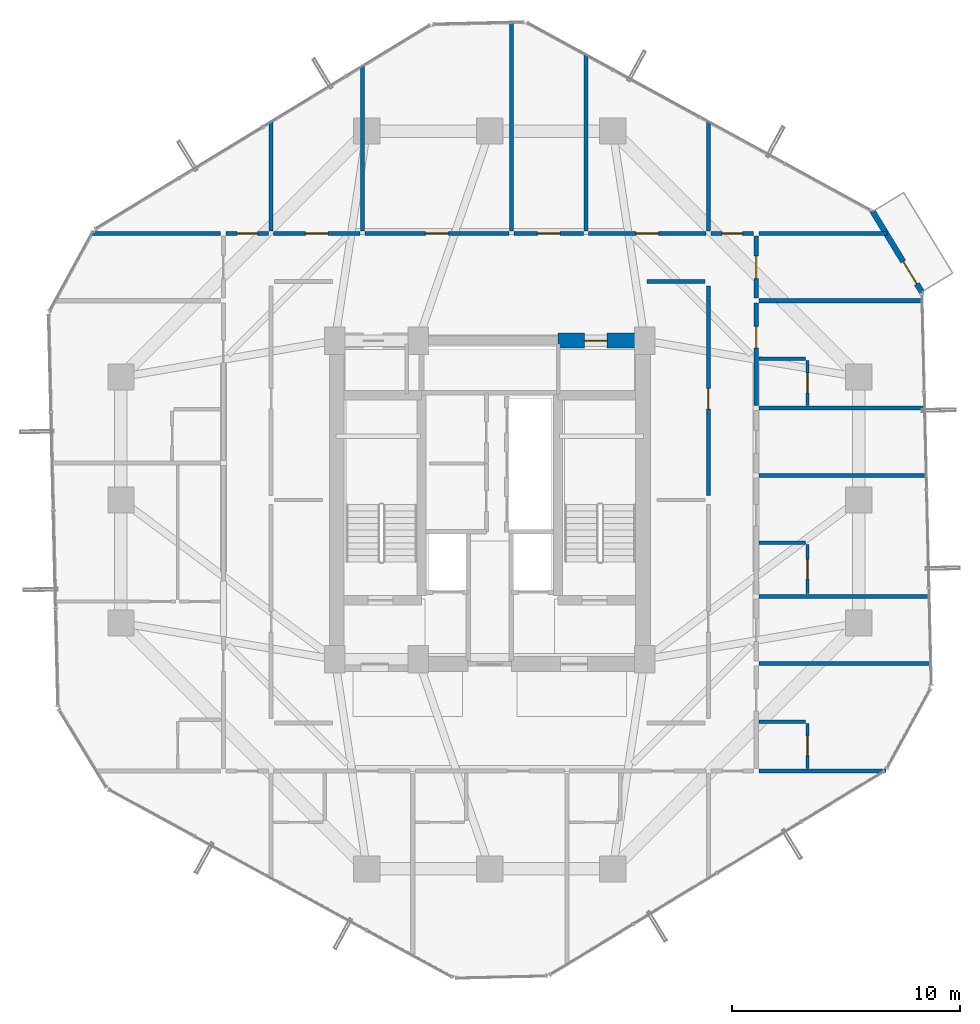
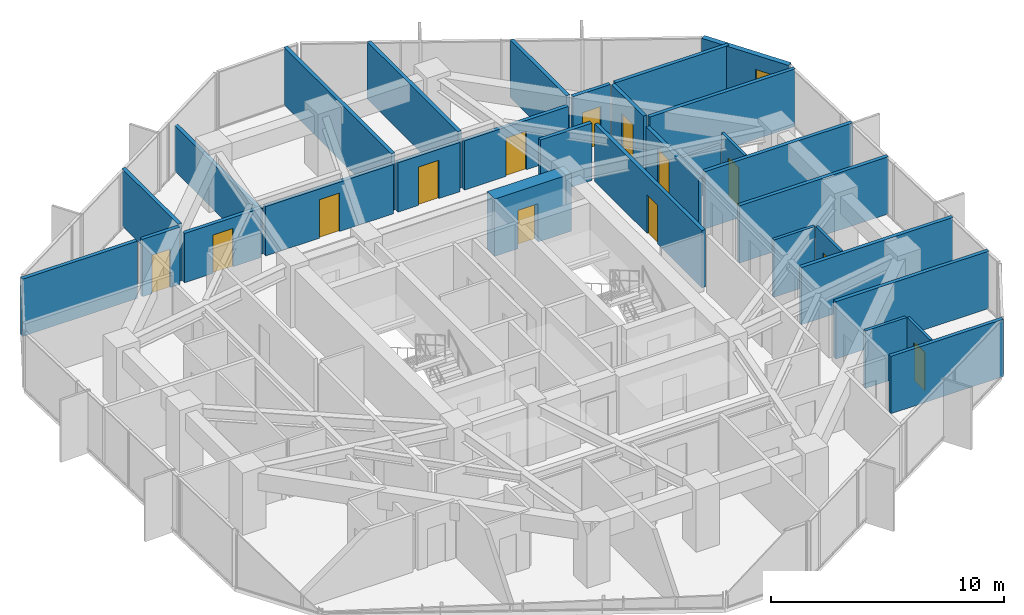
# One storey, part 28 of 31: 31 walls, 14 doors, 14 openings.
"""IFC4 building model written with IfcOpenShell, lengths in metres."""

from ifc_helpers import new_model, si_unit, direction, frame, frame_2d, origin, place, context, subcontext, project, spatial, rectangle, extrude, source, transform, mapped, material, layer, layer_set, type_object, element, fill, save


model = new_model("IFC4")

# Units and contexts
model_context = context("Model", 3, precision=1e-05, world=origin(), true_north=direction((0.0, 1.0)))
body_context = subcontext(model_context, "Body", "Model", "MODEL_VIEW")
ifc_project = project(units=[si_unit("LENGTHUNIT", "METRE"), si_unit("AREAUNIT", "SQUARE_METRE"), si_unit("VOLUMEUNIT", "CUBIC_METRE"), si_unit("PLANEANGLEUNIT", "RADIAN"), si_unit("MASSUNIT", "GRAM", prefix="KILO")], contexts=[model_context])

# Site, building, storey
site_placement = place(None, origin())
site = spatial("IfcSite", under=ifc_project, at=site_placement, CompositionType="ELEMENT")
building_placement = place(site_placement, origin())
building = spatial("IfcBuilding", under=site, at=building_placement, Name="Veraguas Prism Commons", CompositionType="ELEMENT")
storey_placement = place(building_placement, frame((0.0, 0.0, 132.75)))
storey = spatial("IfcBuildingStorey", under=building, at=storey_placement, Name="L37", CompositionType="ELEMENT", Elevation=132.75)

# Wall, opening, door
ifc_material_1 = material(Name="Concrete C55/67", Category="concrete")
ifc_layer_1 = layer(ifc_material_1, 0.64990234375, Name="Core Outer Shear Wall Mid RC 650", Category="concrete")
ifc_layer_set_1 = layer_set([ifc_layer_1], Name="Concrete C55/67")
wall_type_1 = type_object("IfcWallType", Name="Core Outer Shear Wall Mid RC 650", PredefinedType="SHEAR", material=ifc_layer_set_1)
wall_1_placement = place(storey_placement, frame((27.0, 31.0, 0.0), z_axis=(0.0, 0.0, 1.0), x_axis=(1.0, 0.0, 0.0)))
wall_1 = element("IfcWall", 1, at=wall_1_placement, inside=storey, type_object=wall_type_1, Name="Central Core North-East Shear Wall L37", PredefinedType="SHEAR", context=body_context, shape_type="SweptSolid", body=[
    extrude(rectangle(XDim=3.800048828125, YDim=0.64990234375, at=frame_2d((1.89990234375, 0.0))), origin(), (0.0, 0.0, 1.0), 3.0),
])
opening_1_placement = place(wall_1_placement, frame((1.14990234375, 0.0, 0.0)))
opening_1 = element("IfcOpeningElement", 2, at=opening_1_placement, cuts=wall_1, Name="Opening DR-13", PredefinedType="OPENING", context=body_context, shape_type="SweptSolid", body=[
    extrude(rectangle(XDim=1.0, YDim=2.010009765625, at=frame_2d((0.5, 1.0048828125))), frame((0.0, 0.3349609375, 0.0), z_axis=(0.0, -1.0, 0.0), x_axis=(1.0, 0.0, 0.0)), (0.0, 0.0, 1.0), 0.669921875),
])
ifc_material_2 = material(Name="Steel fire-rated door assembly", Category="steel")
door_type_1 = type_object("IfcDoorType", Name="Core Accessible WC and Clinic Fire Door 1000x2010", OperationType="NOTDEFINED", PredefinedType="DOOR", material=ifc_material_2)
shared_shape_1 = source(origin(), body_context, "Body", "SweptSolid", [
    extrude(rectangle(XDim=1.0, YDim=2.010009765625, at=frame_2d((0.5, 1.0048828125))), frame((0.0, 0.02490234375, 0.0), z_axis=(0.0, -1.0, 0.0), x_axis=(1.0, 0.0, 0.0)), (0.0, 0.0, 1.0), 0.050048828125),
])
door_1_placement = place(opening_1_placement, origin())
door_1 = element("IfcDoor", 3, at=door_1_placement, inside=storey, type_object=door_type_1, Name="Core NE Pantry Door L37", OperationType="SINGLE_SWING_RIGHT", OverallHeight=2.010009765625, OverallWidth=1.0, PredefinedType="DOOR", context=body_context, shape_type="MappedRepresentation", body=[
    mapped(shared_shape_1, transform((0.0, 0.0, 0.0), scale=1.0)),
])
fill(opening_1, door_1)

ifc_material_3 = material(Name="Autoclaved aerated masonry block 10 MPa", Category="masonry")
ifc_layer_2 = layer(ifc_material_3, 0.179931640625, Name="Corridor and Inter-Tenancy Partition 180", Category="masonry")
ifc_layer_set_2 = layer_set([ifc_layer_2], Name="Autoclaved aerated masonry block 10 MPa")
wall_type_2 = type_object("IfcWallType", Name="Corridor and Inter-Tenancy Partition 180", PredefinedType="PARTITIONING", material=ifc_layer_set_2)
wall_2_placement = place(storey_placement, frame((33.60009765625, 24.199951171875, 0.0), z_axis=(0.0, 0.0, 1.0), x_axis=(0.0, 1.0, 0.0)))
wall_2 = element("IfcWall", 4, at=wall_2_placement, inside=storey, type_object=wall_type_2, Name="WL-L37-IRE2", PredefinedType="PARTITIONING", context=body_context, shape_type="SweptSolid", body=[
    extrude(rectangle(XDim=9.199951171875, YDim=0.179931640625, at=frame_2d((4.60009765625, 0.0))), origin(), (0.0, 0.0, 1.0), 3.0),
])
opening_2_placement = place(wall_2_placement, frame((3.800048828125, 0.0, 0.0)))
opening_2 = element("IfcOpeningElement", 5, at=opening_2_placement, cuts=wall_2, Name="Opening DR-14", PredefinedType="OPENING", context=body_context, shape_type="SweptSolid", body=[
    extrude(rectangle(XDim=0.89990234375, YDim=2.010009765625, at=frame_2d((0.449951171875, 1.0048828125))), frame((0.0, 0.099853515625, 0.0), z_axis=(0.0, -1.0, 0.0), x_axis=(1.0, 0.0, 0.0)), (0.0, 0.0, 1.0), 0.199951171875),
])
door_type_2 = type_object("IfcDoorType", Name="Core Service Room Fire Door 900x2010", OperationType="NOTDEFINED", PredefinedType="DOOR", material=ifc_material_2)
shared_shape_2 = source(origin(), body_context, "Body", "SweptSolid", [
    extrude(rectangle(XDim=0.89990234375, YDim=2.010009765625, at=frame_2d((0.449951171875, 1.0048828125))), frame((0.0, 0.02490234375, 0.0), z_axis=(0.0, -1.0, 0.0), x_axis=(1.0, 0.0, 0.0)), (0.0, 0.0, 1.0), 0.050048828125),
])
door_2_placement = place(opening_2_placement, origin())
door_2 = element("IfcDoor", 6, at=door_2_placement, inside=storey, type_object=door_type_2, Name="Community Reading Alcove Door L37", OperationType="SINGLE_SWING_RIGHT", OverallHeight=2.010009765625, OverallWidth=0.89990234375, PredefinedType="DOOR", context=body_context, shape_type="MappedRepresentation", body=[
    mapped(shared_shape_2, transform((0.0, 0.0, 0.0), scale=1.0)),
])
fill(opening_2, door_2)

# Walls
wall_3_placement = place(storey_placement, frame((30.89990234375, 33.60009765625, 0.0), z_axis=(0.0, 0.0, 1.0), x_axis=(1.0, 0.0, 0.0)))
element("IfcWall", 7, at=wall_3_placement, inside=storey, type_object=wall_type_2, Name="WL-L37-IREN", PredefinedType="PARTITIONING", context=body_context, shape_type="SweptSolid", body=[
    extrude(rectangle(XDim=2.550048828125, YDim=0.179931640625, at=frame_2d((1.27490234375, 0.0))), origin(), (0.0, 0.0, 1.0), 3.0),
])
wall_4_placement = place(storey_placement, frame((14.39990234375, 35.820068359375, 0.0), z_axis=(0.0, 0.0, 1.0), x_axis=(0.0, 1.0, 0.0)))
element("IfcWall", 8, at=wall_4_placement, inside=storey, type_object=wall_type_2, Name="WL-L37-PT014", PredefinedType="PARTITIONING", context=body_context, shape_type="SweptSolid", body=[
    extrude(rectangle(XDim=4.82861328125, YDim=0.179931640625, at=frame_2d((2.414306640625, 0.0))), origin(), (0.0, 0.0, 1.0), 3.0),
])
wall_5_placement = place(storey_placement, frame((33.60009765625, 35.820068359375, 0.0), z_axis=(0.0, 0.0, 1.0), x_axis=(0.0, 1.0, 0.0)))
element("IfcWall", 9, at=wall_5_placement, inside=storey, type_object=wall_type_2, Name="WL-L37-PT015", PredefinedType="PARTITIONING", context=body_context, shape_type="SweptSolid", body=[
    extrude(rectangle(XDim=4.827880859375, YDim=0.179931640625, at=frame_2d((2.4140625, 0.0))), origin(), (0.0, 0.0, 1.0), 3.0),
])

# Wall, opening, door
wall_6_placement = place(storey_placement, frame((14.510009765625, 35.699951171875, 0.0), z_axis=(0.0, 0.0, 1.0), x_axis=(1.0, 0.0, 0.0)))
wall_6 = element("IfcWall", 10, at=wall_6_placement, inside=storey, type_object=wall_type_2, Name="WL-L37-PT016", PredefinedType="PARTITIONING", context=body_context, shape_type="SweptSolid", body=[
    extrude(rectangle(XDim=3.787109375, YDim=0.179931640625, at=frame_2d((1.8935546875, 0.0))), origin(), (0.0, 0.0, 1.0), 2.580078125),
])
opening_3_placement = place(wall_6_placement, frame((1.3935546875, 0.0, 0.0)))
opening_3 = element("IfcOpeningElement", 11, at=opening_3_placement, cuts=wall_6, Name="Opening DR-13", PredefinedType="OPENING", context=body_context, shape_type="SweptSolid", body=[
    extrude(rectangle(XDim=1.0, YDim=2.010009765625, at=frame_2d((0.5, 1.0048828125))), frame((0.0, 0.099853515625, 0.0), z_axis=(0.0, -1.0, 0.0), x_axis=(1.0, 0.0, 0.0)), (0.0, 0.0, 1.0), 0.199951171875),
])
door_3_placement = place(opening_3_placement, origin())
door_3 = element("IfcDoor", 12, at=door_3_placement, inside=storey, type_object=door_type_1, Name="Residents Study Room Door", OperationType="SINGLE_SWING_LEFT", OverallHeight=2.010009765625, OverallWidth=1.0, PredefinedType="DOOR", context=body_context, shape_type="MappedRepresentation", body=[
    mapped(shared_shape_1, transform((0.0, 0.0, 0.0), scale=1.0)),
])
fill(opening_3, door_3)

wall_7_placement = place(storey_placement, frame((18.51708984375, 35.699951171875, 0.0), z_axis=(0.0, 0.0, 1.0), x_axis=(1.0, 0.0, 0.0)))
wall_7 = element("IfcWall", 13, at=wall_7_placement, inside=storey, type_object=wall_type_2, Name="WL-L37-PT017", PredefinedType="PARTITIONING", context=body_context, shape_type="SweptSolid", body=[
    extrude(rectangle(XDim=6.31689453125, YDim=0.179931640625, at=frame_2d((3.158447265625, 0.0))), origin(), (0.0, 0.0, 1.0), 2.580078125),
])
opening_4_placement = place(wall_7_placement, frame((2.658447265625, 0.0, 0.0)))
opening_4 = element("IfcOpeningElement", 14, at=opening_4_placement, cuts=wall_7, Name="Opening DR-13", PredefinedType="OPENING", context=body_context, shape_type="SweptSolid", body=[
    extrude(rectangle(XDim=1.0, YDim=2.010009765625, at=frame_2d((0.5, 1.0048828125))), frame((0.0, 0.099853515625, 0.0), z_axis=(0.0, -1.0, 0.0), x_axis=(1.0, 0.0, 0.0)), (0.0, 0.0, 1.0), 0.199951171875),
])
door_4_placement = place(opening_4_placement, origin())
door_4 = element("IfcDoor", 15, at=door_4_placement, inside=storey, type_object=door_type_1, Name="Co-op Store N Door", OperationType="SINGLE_SWING_RIGHT", OverallHeight=2.010009765625, OverallWidth=1.0, PredefinedType="DOOR", context=body_context, shape_type="MappedRepresentation", body=[
    mapped(shared_shape_1, transform((0.0, 0.0, 0.0), scale=1.0)),
])
fill(opening_4, door_4)

# Walls
wall_8_placement = place(storey_placement, frame((18.406982421875, 35.820068359375, 0.0), z_axis=(0.0, 0.0, 1.0), x_axis=(0.0, 1.0, 0.0)))
element("IfcWall", 16, at=wall_8_placement, inside=storey, type_object=wall_type_2, Name="WL-L37-PT018", PredefinedType="PARTITIONING", context=body_context, shape_type="SweptSolid", body=[
    extrude(rectangle(XDim=7.2705078125, YDim=0.179931640625, at=frame_2d((3.63525390625, 0.0))), origin(), (0.0, 0.0, 1.0), 2.3779296875),
])
wall_9_placement = place(storey_placement, frame((24.944091796875, 35.820068359375, 0.0), z_axis=(0.0, 0.0, 1.0), x_axis=(0.0, 1.0, 0.0)))
element("IfcWall", 17, at=wall_9_placement, inside=storey, type_object=wall_type_2, Name="WL-L37-PT019", PredefinedType="PARTITIONING", context=body_context, shape_type="SweptSolid", body=[
    extrude(rectangle(XDim=9.189453125, YDim=0.179931640625, at=frame_2d((4.5947265625, 0.0))), origin(), (0.0, 0.0, 1.0), 3.0),
])

# Wall, opening, door
wall_10_placement = place(storey_placement, frame((25.053955078125, 35.699951171875, 0.0), z_axis=(0.0, 0.0, 1.0), x_axis=(1.0, 0.0, 0.0)))
wall_10 = element("IfcWall", 18, at=wall_10_placement, inside=storey, type_object=wall_type_2, Name="WL-L37-PT020", PredefinedType="PARTITIONING", context=body_context, shape_type="SweptSolid", body=[
    extrude(rectangle(XDim=3.069091796875, YDim=0.179931640625, at=frame_2d((1.53466796875, 0.0))), origin(), (0.0, 0.0, 1.0), 2.580078125),
])
opening_5_placement = place(wall_10_placement, frame((1.034423828125, 0.0, 0.0)))
opening_5 = element("IfcOpeningElement", 19, at=opening_5_placement, cuts=wall_10, Name="Opening DR-13", PredefinedType="OPENING", context=body_context, shape_type="SweptSolid", body=[
    extrude(rectangle(XDim=1.0, YDim=2.010009765625, at=frame_2d((0.5, 1.0048828125))), frame((0.0, 0.099853515625, 0.0), z_axis=(0.0, -1.0, 0.0), x_axis=(1.0, 0.0, 0.0)), (0.0, 0.0, 1.0), 0.199951171875),
])
door_5_placement = place(opening_5_placement, origin())
door_5 = element("IfcDoor", 20, at=door_5_placement, inside=storey, type_object=door_type_1, Name="Shared Laundry Room Door", OperationType="SINGLE_SWING_LEFT", OverallHeight=2.010009765625, OverallWidth=1.0, PredefinedType="DOOR", context=body_context, shape_type="MappedRepresentation", body=[
    mapped(shared_shape_1, transform((0.0, 0.0, 0.0), scale=1.0)),
])
fill(opening_5, door_5)

wall_11_placement = place(storey_placement, frame((28.343017578125, 35.699951171875, 0.0), z_axis=(0.0, 0.0, 1.0), x_axis=(1.0, 0.0, 0.0)))
wall_11 = element("IfcWall", 21, at=wall_11_placement, inside=storey, type_object=wall_type_2, Name="WL-L37-PT021", PredefinedType="PARTITIONING", context=body_context, shape_type="SweptSolid", body=[
    extrude(rectangle(XDim=5.14697265625, YDim=0.179931640625, at=frame_2d((2.573486328125, 0.0))), origin(), (0.0, 0.0, 1.0), 2.580078125),
])
opening_6_placement = place(wall_11_placement, frame((2.073486328125, 0.0, 0.0)))
opening_6 = element("IfcOpeningElement", 22, at=opening_6_placement, cuts=wall_11, Name="Opening DR-13", PredefinedType="OPENING", context=body_context, shape_type="SweptSolid", body=[
    extrude(rectangle(XDim=1.0, YDim=2.010009765625, at=frame_2d((0.5, 1.0048828125))), frame((0.0, 0.099853515625, 0.0), z_axis=(0.0, -1.0, 0.0), x_axis=(1.0, 0.0, 0.0)), (0.0, 0.0, 1.0), 0.199951171875),
])
door_6_placement = place(opening_6_placement, origin())
door_6 = element("IfcDoor", 23, at=door_6_placement, inside=storey, type_object=door_type_1, Name="Co-op Store N Door", OperationType="SINGLE_SWING_RIGHT", OverallHeight=2.010009765625, OverallWidth=1.0, PredefinedType="DOOR", context=body_context, shape_type="MappedRepresentation", body=[
    mapped(shared_shape_1, transform((0.0, 0.0, 0.0), scale=1.0)),
])
fill(opening_6, door_6)

# Walls
wall_12_placement = place(storey_placement, frame((28.23291015625, 35.820068359375, 0.0), z_axis=(0.0, 0.0, 1.0), x_axis=(0.0, 1.0, 0.0)))
element("IfcWall", 24, at=wall_12_placement, inside=storey, type_object=wall_type_2, Name="WL-L37-PT022", PredefinedType="PARTITIONING", context=body_context, shape_type="SweptSolid", body=[
    extrude(rectangle(XDim=7.759033203125, YDim=0.179931640625, at=frame_2d((3.87939453125, 0.0))), origin(), (0.0, 0.0, 1.0), 3.0),
])
wall_13_placement = place(storey_placement, frame((12.179931640625, 35.699951171875, 0.0), z_axis=(0.0, 0.0, 1.0), x_axis=(-1.0, 0.0, 0.0)))
element("IfcWall", 25, at=wall_13_placement, inside=storey, type_object=wall_type_2, Name="WL-L37-PT024", PredefinedType="PARTITIONING", context=body_context, shape_type="SweptSolid", body=[
    extrude(rectangle(XDim=5.6962890625, YDim=0.179931640625, at=frame_2d((2.84814453125, 0.0))), origin(), (0.0, 0.0, 1.0), 3.0),
])
wall_14_placement = place(storey_placement, frame((35.820068359375, 12.10009765625, 0.0), z_axis=(0.0, 0.0, 1.0), x_axis=(1.0, 0.0, 0.0)))
element("IfcWall", 26, at=wall_14_placement, inside=storey, type_object=wall_type_2, Name="WL-L37-PT037", PredefinedType="PARTITIONING", context=body_context, shape_type="SweptSolid", body=[
    extrude(rectangle(XDim=5.57177734375, YDim=0.179931640625, at=frame_2d((2.785888671875, 0.0))), origin(), (0.0, 0.0, 1.0), 3.0),
])
wall_15_placement = place(storey_placement, frame((35.820068359375, 35.699951171875, 0.0), z_axis=(0.0, 0.0, 1.0), x_axis=(1.0, 0.0, 0.0)))
element("IfcWall", 27, at=wall_15_placement, inside=storey, type_object=wall_type_2, Name="WL-L37-PT038", PredefinedType="PARTITIONING", context=body_context, shape_type="SweptSolid", body=[
    extrude(rectangle(XDim=5.619873046875, YDim=0.179931640625, at=frame_2d((2.81005859375, 0.0))), origin(), (0.0, 0.0, 1.0), 3.0),
])
wall_16_placement = place(storey_placement, frame((35.820068359375, 16.818115234375, 0.0), z_axis=(0.0, 0.0, 1.0), x_axis=(1.0, 0.0, 0.0)))
element("IfcWall", 28, at=wall_16_placement, inside=storey, type_object=wall_type_2, Name="WL-L37-PT040", PredefinedType="PARTITIONING", context=body_context, shape_type="SweptSolid", body=[
    extrude(rectangle(XDim=7.568359375, YDim=0.179931640625, at=frame_2d((3.7841796875, 0.0))), origin(), (0.0, 0.0, 1.0), 3.0),
])
wall_17_placement = place(storey_placement, frame((35.820068359375, 19.76806640625, 0.0), z_axis=(0.0, 0.0, 1.0), x_axis=(1.0, 0.0, 0.0)))
element("IfcWall", 29, at=wall_17_placement, inside=storey, type_object=wall_type_2, Name="WL-L37-PT044", PredefinedType="PARTITIONING", context=body_context, shape_type="SweptSolid", body=[
    extrude(rectangle(XDim=7.498291015625, YDim=0.179931640625, at=frame_2d((3.7490234375, 0.0))), origin(), (0.0, 0.0, 1.0), 3.0),
])
wall_18_placement = place(storey_placement, frame((35.820068359375, 25.08203125, 0.0), z_axis=(0.0, 0.0, 1.0), x_axis=(1.0, 0.0, 0.0)))
element("IfcWall", 30, at=wall_18_placement, inside=storey, type_object=wall_type_2, Name="WL-L37-PT046", PredefinedType="PARTITIONING", context=body_context, shape_type="SweptSolid", body=[
    extrude(rectangle(XDim=7.3720703125, YDim=0.179931640625, at=frame_2d((3.68603515625, 0.0))), origin(), (0.0, 0.0, 1.0), 3.0),
])
wall_19_placement = place(storey_placement, frame((35.820068359375, 28.031982421875, 0.0), z_axis=(0.0, 0.0, 1.0), x_axis=(1.0, 0.0, 0.0)))
element("IfcWall", 31, at=wall_19_placement, inside=storey, type_object=wall_type_2, Name="WL-L37-PT050", PredefinedType="PARTITIONING", context=body_context, shape_type="SweptSolid", body=[
    extrude(rectangle(XDim=7.302001953125, YDim=0.179931640625, at=frame_2d((3.65087890625, 0.0))), origin(), (0.0, 0.0, 1.0), 3.0),
])

# Wall, opening, door
wall_20_placement = place(storey_placement, frame((35.699951171875, 32.860107421875, 0.0), z_axis=(0.0, 0.0, 1.0), x_axis=(0.0, 1.0, 0.0)))
wall_20 = element("IfcWall", 32, at=wall_20_placement, inside=storey, type_object=wall_type_2, Name="WL-L37-PT051", PredefinedType="PARTITIONING", context=body_context, shape_type="SweptSolid", body=[
    extrude(rectangle(XDim=2.72998046875, YDim=0.179931640625, at=frame_2d((1.364990234375, 0.0))), origin(), (0.0, 0.0, 1.0), 3.0),
])
opening_7_placement = place(wall_20_placement, frame((0.864990234375, 0.0, 0.0)))
opening_7 = element("IfcOpeningElement", 33, at=opening_7_placement, cuts=wall_20, Name="Opening DR-13", PredefinedType="OPENING", context=body_context, shape_type="SweptSolid", body=[
    extrude(rectangle(XDim=1.0, YDim=2.010009765625, at=frame_2d((0.5, 1.0048828125))), frame((0.0, 0.099853515625, 0.0), z_axis=(0.0, -1.0, 0.0), x_axis=(1.0, 0.0, 0.0)), (0.0, 0.0, 1.0), 0.199951171875),
])
door_7_placement = place(opening_7_placement, origin())
door_7 = element("IfcDoor", 34, at=door_7_placement, inside=storey, type_object=door_type_1, Name="Quiet Study E Door", OperationType="SINGLE_SWING_RIGHT", OverallHeight=2.010009765625, OverallWidth=1.0, PredefinedType="DOOR", context=body_context, shape_type="MappedRepresentation", body=[
    mapped(shared_shape_1, transform((0.0, 0.0, 0.0), scale=1.0)),
])
fill(opening_7, door_7)

# Wall
wall_21_placement = place(storey_placement, frame((35.820068359375, 32.75, 0.0), z_axis=(0.0, 0.0, 1.0), x_axis=(1.0, 0.0, 0.0)))
element("IfcWall", 35, at=wall_21_placement, inside=storey, type_object=wall_type_2, Name="WL-L37-PT052", PredefinedType="PARTITIONING", context=body_context, shape_type="SweptSolid", body=[
    extrude(rectangle(XDim=7.18994140625, YDim=0.179931640625, at=frame_2d((3.594970703125, 0.0))), origin(), (0.0, 0.0, 1.0), 3.0),
])

# Wall, opening, door
wall_22_placement = place(storey_placement, frame((35.699951171875, 28.14208984375, 0.0), z_axis=(0.0, 0.0, 1.0), x_axis=(0.0, 1.0, 0.0)))
wall_22 = element("IfcWall", 36, at=wall_22_placement, inside=storey, type_object=wall_type_2, Name="WL-L37-PT053", PredefinedType="PARTITIONING", context=body_context, shape_type="SweptSolid", body=[
    extrude(rectangle(XDim=4.497802734375, YDim=0.179931640625, at=frame_2d((2.2490234375, 0.0))), origin(), (0.0, 0.0, 1.0), 2.580078125),
])
opening_8_placement = place(wall_22_placement, frame((2.529541015625, 0.0, 0.0)))
opening_8 = element("IfcOpeningElement", 37, at=opening_8_placement, cuts=wall_22, Name="Opening DR-01", PredefinedType="OPENING", context=body_context, shape_type="SweptSolid", body=[
    extrude(rectangle(XDim=0.949951171875, YDim=2.02001953125, at=frame_2d((0.47509765625, 1.010009765625))), frame((0.0, 0.099853515625, 0.0), z_axis=(0.0, -1.0, 0.0), x_axis=(1.0, 0.0, 0.0)), (0.0, 0.0, 1.0), 0.199951171875),
])
ifc_material_4 = material(Name="Anodised aluminium EN AW-6063 T6", Category="aluminium")
door_type_3 = type_object("IfcDoorType", Name="Apartment Entrance Fire Door 950x2020", OperationType="NOTDEFINED", PredefinedType="DOOR", material=ifc_material_4)
shared_shape_3 = source(origin(), body_context, "Body", "SweptSolid", [
    extrude(rectangle(XDim=0.949951171875, YDim=2.02001953125, at=frame_2d((0.47509765625, 1.010009765625))), frame((0.0, 0.02490234375, 0.0), z_axis=(0.0, -1.0, 0.0), x_axis=(1.0, 0.0, 0.0)), (0.0, 0.0, 1.0), 0.050048828125),
])
door_8_placement = place(opening_8_placement, origin())
door_8 = element("IfcDoor", 38, at=door_8_placement, inside=storey, type_object=door_type_3, Name="Studio 37H Entrance Door", OperationType="SINGLE_SWING_LEFT", OverallHeight=2.02001953125, OverallWidth=0.949951171875, PredefinedType="DOOR", context=body_context, shape_type="MappedRepresentation", body=[
    mapped(shared_shape_3, transform((0.0, 0.0, 0.0), scale=1.0)),
])
fill(opening_8, door_8)

wall_23_placement = place(storey_placement, frame((12.419921875, 35.699951171875, 0.0), z_axis=(0.0, 0.0, 1.0), x_axis=(1.0, 0.0, 0.0)))
wall_23 = element("IfcWall", 39, at=wall_23_placement, inside=storey, type_object=wall_type_2, Name="WL-L37-PT058", PredefinedType="PARTITIONING", context=body_context, shape_type="SweptSolid", body=[
    extrude(rectangle(XDim=1.860107421875, YDim=0.179931640625, at=frame_2d((0.93017578125, 0.0))), origin(), (0.0, 0.0, 1.0), 3.0),
])
opening_9_placement = place(wall_23_placement, frame((0.47998046875, 0.0, 0.0)))
opening_9 = element("IfcOpeningElement", 40, at=opening_9_placement, cuts=wall_23, Name="Opening DR-14", PredefinedType="OPENING", context=body_context, shape_type="SweptSolid", body=[
    extrude(rectangle(XDim=0.89990234375, YDim=2.010009765625, at=frame_2d((0.449951171875, 1.0048828125))), frame((0.0, 0.099853515625, 0.0), z_axis=(0.0, -1.0, 0.0), x_axis=(1.0, 0.0, 0.0)), (0.0, 0.0, 1.0), 0.199951171875),
])
door_9_placement = place(opening_9_placement, origin())
door_9 = element("IfcDoor", 41, at=door_9_placement, inside=storey, type_object=door_type_2, Name="Residents Cycle and Pram Store NW Door", OperationType="SINGLE_SWING_LEFT", OverallHeight=2.010009765625, OverallWidth=0.89990234375, PredefinedType="DOOR", context=body_context, shape_type="MappedRepresentation", body=[
    mapped(shared_shape_2, transform((0.0, 0.0, 0.0), scale=1.0)),
])
fill(opening_9, door_9)

wall_24_placement = place(storey_placement, frame((33.719970703125, 35.699951171875, 0.0), z_axis=(0.0, 0.0, 1.0), x_axis=(1.0, 0.0, 0.0)))
wall_24 = element("IfcWall", 42, at=wall_24_placement, inside=storey, type_object=wall_type_2, Name="WL-L37-PT059", PredefinedType="PARTITIONING", context=body_context, shape_type="SweptSolid", body=[
    extrude(rectangle(XDim=1.860107421875, YDim=0.179931640625, at=frame_2d((0.93017578125, 0.0))), origin(), (0.0, 0.0, 1.0), 3.0),
])
opening_10_placement = place(wall_24_placement, frame((0.47998046875, 0.0, 0.0)))
opening_10 = element("IfcOpeningElement", 43, at=opening_10_placement, cuts=wall_24, Name="Opening DR-14", PredefinedType="OPENING", context=body_context, shape_type="SweptSolid", body=[
    extrude(rectangle(XDim=0.89990234375, YDim=2.010009765625, at=frame_2d((0.449951171875, 1.0048828125))), frame((0.0, 0.099853515625, 0.0), z_axis=(0.0, -1.0, 0.0), x_axis=(1.0, 0.0, 0.0)), (0.0, 0.0, 1.0), 0.199951171875),
])
door_10_placement = place(opening_10_placement, origin())
door_10 = element("IfcDoor", 44, at=door_10_placement, inside=storey, type_object=door_type_2, Name="Residents Corner Study Room NE Door", OperationType="SINGLE_SWING_RIGHT", OverallHeight=2.010009765625, OverallWidth=0.89990234375, PredefinedType="DOOR", context=body_context, shape_type="MappedRepresentation", body=[
    mapped(shared_shape_2, transform((0.0, 0.0, 0.0), scale=1.0)),
])
fill(opening_10, door_10)

ifc_material_5 = material(Name="Precast concrete C40/50", Category="concrete")
ifc_layer_3 = layer(ifc_material_5, 0.25, Name="External Loggia and Portal Wall 250", Category="concrete")
ifc_layer_set_3 = layer_set([ifc_layer_3], Name="Precast concrete C40/50")
wall_type_3 = type_object("IfcWallType", Name="External Loggia and Portal Wall 250", PredefinedType="SOLIDWALL", material=ifc_layer_set_3)
wall_25_placement = place(storey_placement, frame((42.991943359375, 33.095703125, 0.0), z_axis=(0.0, 0.0, 1.0), x_axis=(-0.520369515568, 0.85394119661, 0.0)))
wall_25 = element("IfcWall", 45, at=wall_25_placement, inside=storey, type_object=wall_type_3, Name="Corner Loggia Wall L37-C1", PredefinedType="SOLIDWALL", context=body_context, shape_type="SweptSolid", body=[
    extrude(rectangle(XDim=4.2333984375, YDim=0.25, at=frame_2d((2.11669921875, 0.0))), origin(), (0.0, 0.0, 1.0), 3.0),
])
opening_11_placement = place(wall_25_placement, frame((0.4599609375, 0.0, 0.0)))
opening_11 = element("IfcOpeningElement", 46, at=opening_11_placement, cuts=wall_25, Name="Opening DR-10", PredefinedType="OPENING", context=body_context, shape_type="SweptSolid", body=[
    extrude(rectangle(XDim=1.14990234375, YDim=2.25, at=frame_2d((0.574951171875, 1.125))), frame((0.0, 0.135009765625, 0.0), z_axis=(0.0, -1.0, 0.0), x_axis=(1.0, 0.0, 0.0)), (0.0, 0.0, 1.0), 0.27001953125),
])
door_type_4 = type_object("IfcDoorType", Name="Glazed Loggia and Terrace Door 1150x2250", OperationType="NOTDEFINED", PredefinedType="DOOR", material=ifc_material_4)
shared_shape_4 = source(origin(), body_context, "Body", "SweptSolid", [
    extrude(rectangle(XDim=1.14990234375, YDim=2.25, at=frame_2d((0.574951171875, 1.125))), frame((0.0, 0.02490234375, 0.0), z_axis=(0.0, -1.0, 0.0), x_axis=(1.0, 0.0, 0.0)), (0.0, 0.0, 1.0), 0.050048828125),
])
door_11_placement = place(opening_11_placement, frame((1.14990234375, 0.0, 0.0), z_axis=(0.0, 0.0, 1.0), x_axis=(-1.0, 0.0, 0.0)))
door_11 = element("IfcDoor", 47, at=door_11_placement, inside=storey, type_object=door_type_4, Name="Recessed Loggia Door L37-C1", OperationType="SINGLE_SWING_LEFT", OverallHeight=2.25, OverallWidth=1.14990234375, PredefinedType="DOOR", context=body_context, shape_type="MappedRepresentation", body=[
    mapped(shared_shape_4, transform((0.0, 0.0, 0.0), scale=1.0)),
])
fill(opening_11, door_11)

ifc_material_6 = material(Name="Lightweight acoustic gypsum board")
ifc_layer_4 = layer(ifc_material_6, 0.125, Name="Internal Apartment Room Partition 125")
ifc_layer_set_4 = layer_set([ifc_layer_4], Name="Lightweight acoustic gypsum board")
wall_type_4 = type_object("IfcWallType", Name="Internal Apartment Room Partition 125", PredefinedType="PARTITIONING", material=ifc_layer_set_4)
wall_26_placement = place(storey_placement, frame((37.949951171875, 12.219970703125, 0.0), z_axis=(0.0, 0.0, 1.0), x_axis=(0.0, 1.0, 0.0)))
wall_26 = element("IfcWall", 48, at=wall_26_placement, inside=storey, type_object=wall_type_4, Name="WL-L37-PT043", PredefinedType="PARTITIONING", context=body_context, shape_type="SweptSolid", body=[
    extrude(rectangle(XDim=1.969970703125, YDim=0.125, at=frame_2d((0.98486328125, 0.0))), origin(), (0.0, 0.0, 1.0), 3.0),
])
opening_12_placement = place(wall_26_placement, frame((0.554931640625, 0.0, 0.0)))
opening_12 = element("IfcOpeningElement", 49, at=opening_12_placement, cuts=wall_26, Name="Opening DR-03", PredefinedType="OPENING", context=body_context, shape_type="SweptSolid", body=[
    extrude(rectangle(XDim=0.860107421875, YDim=2.010009765625, at=frame_2d((0.43017578125, 1.0048828125))), frame((0.0, 0.072509765625, 0.0), z_axis=(0.0, -1.0, 0.0), x_axis=(1.0, 0.0, 0.0)), (0.0, 0.0, 1.0), 0.14501953125),
])
ifc_material_7 = material(Name="Timber moisture-resistant leaf", Category="wood")
door_type_5 = type_object("IfcDoorType", Name="Internal Bathroom Door 860x2010", OperationType="NOTDEFINED", PredefinedType="DOOR", material=ifc_material_7)
shared_shape_5 = source(origin(), body_context, "Body", "SweptSolid", [
    extrude(rectangle(XDim=0.860107421875, YDim=2.010009765625, at=frame_2d((0.43017578125, 1.0048828125))), frame((0.0, 0.02490234375, 0.0), z_axis=(0.0, -1.0, 0.0), x_axis=(1.0, 0.0, 0.0)), (0.0, 0.0, 1.0), 0.050048828125),
])
door_12_placement = place(opening_12_placement, origin())
door_12 = element("IfcDoor", 50, at=door_12_placement, inside=storey, type_object=door_type_5, Name="Studio 37F Bathroom Door", OperationType="SINGLE_SWING_RIGHT", OverallHeight=2.010009765625, OverallWidth=0.860107421875, PredefinedType="DOOR", context=body_context, shape_type="MappedRepresentation", body=[
    mapped(shared_shape_5, transform((0.0, 0.0, 0.0), scale=1.0)),
])
fill(opening_12, door_12)

wall_27_placement = place(storey_placement, frame((37.949951171875, 19.887939453125, 0.0), z_axis=(0.0, 0.0, 1.0), x_axis=(0.0, 1.0, 0.0)))
wall_27 = element("IfcWall", 51, at=wall_27_placement, inside=storey, type_object=wall_type_4, Name="WL-L37-PT049", PredefinedType="PARTITIONING", context=body_context, shape_type="SweptSolid", body=[
    extrude(rectangle(XDim=2.150146484375, YDim=0.125, at=frame_2d((1.0751953125, 0.0))), origin(), (0.0, 0.0, 1.0), 3.0),
])
opening_13_placement = place(wall_27_placement, frame((0.64501953125, 0.0, 0.0)))
opening_13 = element("IfcOpeningElement", 52, at=opening_13_placement, cuts=wall_27, Name="Opening DR-03", PredefinedType="OPENING", context=body_context, shape_type="SweptSolid", body=[
    extrude(rectangle(XDim=0.860107421875, YDim=2.010009765625, at=frame_2d((0.43017578125, 1.0048828125))), frame((0.0, 0.072509765625, 0.0), z_axis=(0.0, -1.0, 0.0), x_axis=(1.0, 0.0, 0.0)), (0.0, 0.0, 1.0), 0.14501953125),
])
door_13_placement = place(opening_13_placement, origin())
door_13 = element("IfcDoor", 53, at=door_13_placement, inside=storey, type_object=door_type_5, Name="Studio 37G Bathroom Door", OperationType="SINGLE_SWING_LEFT", OverallHeight=2.010009765625, OverallWidth=0.860107421875, PredefinedType="DOOR", context=body_context, shape_type="MappedRepresentation", body=[
    mapped(shared_shape_5, transform((0.0, 0.0, 0.0), scale=1.0)),
])
fill(opening_13, door_13)

wall_28_placement = place(storey_placement, frame((37.949951171875, 28.152099609375, 0.0), z_axis=(0.0, 0.0, 1.0), x_axis=(0.0, 1.0, 0.0)))
wall_28 = element("IfcWall", 54, at=wall_28_placement, inside=storey, type_object=wall_type_4, Name="WL-L37-PT055", PredefinedType="PARTITIONING", context=body_context, shape_type="SweptSolid", body=[
    extrude(rectangle(XDim=1.969970703125, YDim=0.125, at=frame_2d((0.98486328125, 0.0))), origin(), (0.0, 0.0, 1.0), 3.0),
])
opening_14_placement = place(wall_28_placement, frame((0.554931640625, 0.0, 0.0)))
opening_14 = element("IfcOpeningElement", 55, at=opening_14_placement, cuts=wall_28, Name="Opening DR-03", PredefinedType="OPENING", context=body_context, shape_type="SweptSolid", body=[
    extrude(rectangle(XDim=0.860107421875, YDim=2.010009765625, at=frame_2d((0.43017578125, 1.0048828125))), frame((0.0, 0.072509765625, 0.0), z_axis=(0.0, -1.0, 0.0), x_axis=(1.0, 0.0, 0.0)), (0.0, 0.0, 1.0), 0.14501953125),
])
door_14_placement = place(opening_14_placement, origin())
door_14 = element("IfcDoor", 56, at=door_14_placement, inside=storey, type_object=door_type_5, Name="Studio 37H Bathroom Door", OperationType="SINGLE_SWING_RIGHT", OverallHeight=2.010009765625, OverallWidth=0.860107421875, PredefinedType="DOOR", context=body_context, shape_type="MappedRepresentation", body=[
    mapped(shared_shape_5, transform((0.0, 0.0, 0.0), scale=1.0)),
])
fill(opening_14, door_14)

# Walls
ifc_layer_5 = layer(ifc_material_6, 0.14990234375, Name="Wet Room and Clinic Acoustic Partition 150")
ifc_layer_set_5 = layer_set([ifc_layer_5], Name="Lightweight acoustic gypsum board")
wall_type_5 = type_object("IfcWallType", Name="Wet Room and Clinic Acoustic Partition 150", PredefinedType="PARTITIONING", material=ifc_layer_set_5)
for number, where, z_axis, x_axis, name in (
    (57, (35.820068359375, 14.27001953125, 0.0), (0.0, 0.0, 1.0), (1.0, 0.0, 0.0), "WL-L37-PT042"),
    (58, (35.820068359375, 22.117919921875, 0.0), (0.0, 0.0, 1.0), (1.0, 0.0, 0.0), "WL-L37-PT048"),
):
    element("IfcWall", number, at=place(storey_placement, frame(where, z_axis=z_axis, x_axis=x_axis)), inside=storey, type_object=wall_type_5, Name=name, PredefinedType="PARTITIONING", context=body_context, shape_type="SweptSolid", body=[
        extrude(rectangle(XDim=2.050048828125, YDim=0.14990234375, at=frame_2d((1.02490234375, 0.0))), origin(), (0.0, 0.0, 1.0), 3.0),
    ])
wall_29_placement = place(storey_placement, frame((35.820068359375, 30.201904296875, 0.0), z_axis=(0.0, 0.0, 1.0), x_axis=(1.0, 0.0, 0.0)))
element("IfcWall", 59, at=wall_29_placement, inside=storey, type_object=wall_type_5, Name="WL-L37-PT054", PredefinedType="PARTITIONING", context=body_context, shape_type="SweptSolid", body=[
    extrude(rectangle(XDim=2.050048828125, YDim=0.14990234375, at=frame_2d((1.02490234375, 0.0))), origin(), (0.0, 0.0, 1.0), 2.3779296875),
])

save(model, "model.ifc")
